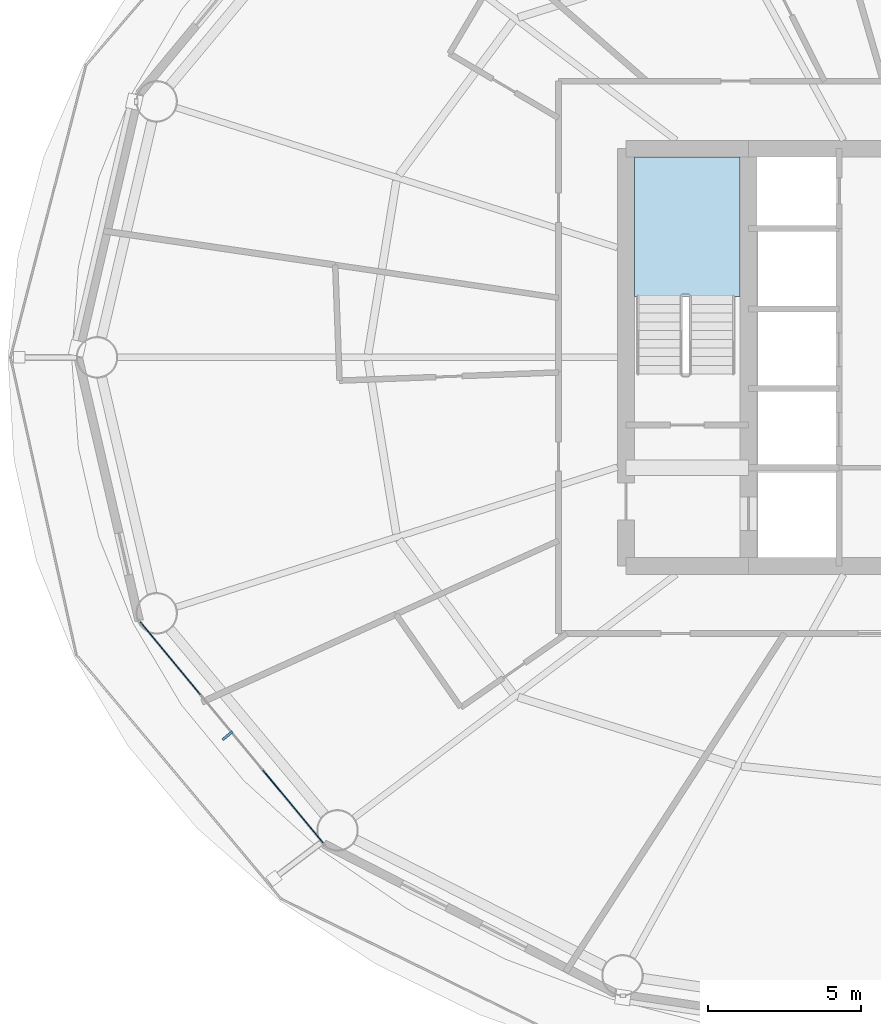
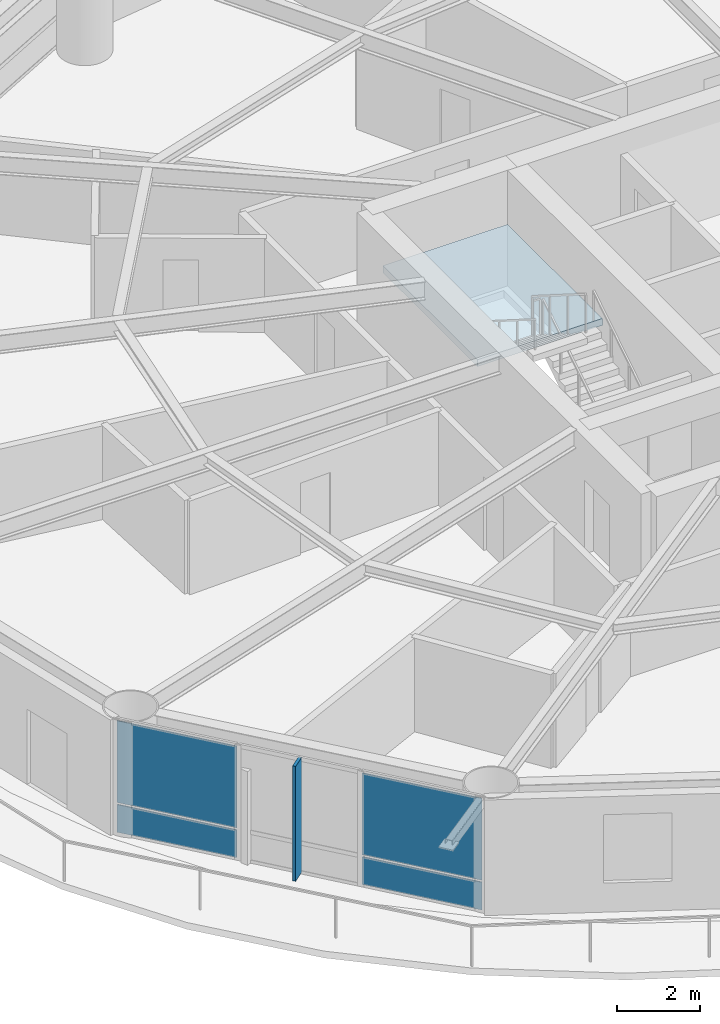
# One storey, part 14 of 24: 5 plates, 1 slab, 2 elements without a shape of their own.
"""IFC4 building model written with IfcOpenShell, lengths in metres."""

from ifc_helpers import new_model, si_unit, direction, frame, origin, origin_2d, place, context, subcontext, project, spatial, polyline, rectangle, outline, extrude, material, layer, layer_set, type_object, element, aggregate, save


model = new_model("IFC4")

# Units and contexts
model_context = context("Model", 3, precision=1e-05, world=origin(), true_north=direction((0.0, 1.0)))
body_context = subcontext(model_context, "Body", "Model", "MODEL_VIEW")
ifc_project = project(units=[si_unit("LENGTHUNIT", "METRE"), si_unit("AREAUNIT", "SQUARE_METRE"), si_unit("VOLUMEUNIT", "CUBIC_METRE"), si_unit("PLANEANGLEUNIT", "RADIAN"), si_unit("MASSUNIT", "GRAM", prefix="KILO")], contexts=[model_context])

# Site, building, storey
site_placement = place(None, origin())
site = spatial("IfcSite", under=ifc_project, at=site_placement, CompositionType="ELEMENT")
building_placement = place(site_placement, origin())
building = spatial("IfcBuilding", under=site, at=building_placement, Name="Sarneth Arch Tower", CompositionType="ELEMENT")
storey_placement = place(building_placement, frame((0.0, 0.0, 123.60009765625)))
storey = spatial("IfcBuildingStorey", under=building, at=storey_placement, Name="L31", CompositionType="ELEMENT", Elevation=123.60009765625)

# Curtain wall, plates
ifc_material_1 = material(Name="Anodised aluminium Type AA25 and solar-control low-e laminated IGU", Category="aluminium")
ifc_layer_1 = layer(ifc_material_1, 0.159912109375)
ifc_layer_set_1 = layer_set([ifc_layer_1], Name="Anodised aluminium Type AA25 and solar-control low-e laminated IGU")
curtain_wall_type = type_object("IfcCurtainWallType", Name="CW-HOTEL-MID", PredefinedType="NOTDEFINED", material=ifc_layer_set_1)
curtain_wall_placement = place(storey_placement, origin())
curtain_wall = element("IfcCurtainWall", 1, at=curtain_wall_placement, inside=storey, type_object=curtain_wall_type, Name="L31 Unitised curtain wall facet 10", PredefinedType="NOTDEFINED")
ifc_material_2 = material(Name="Solar-control low-e laminated IGU", Category="glass")
ifc_layer_2 = layer(ifc_material_2, 0.028076171875)
ifc_layer_set_2 = layer_set([ifc_layer_2], Name="Solar-control low-e laminated IGU")
plate_type_1 = type_object("IfcPlateType", Name="CW-PANEL", PredefinedType="CURTAIN_PANEL", material=ifc_layer_set_2)
plate_1_placement = place(storey_placement, frame((22.15185546875, 32.192138671875, 0.059814453125), z_axis=(0.0, 0.0, 1.0), x_axis=(0.637515188684, -0.770437787363, 0.0)))
plate_1 = element("IfcPlate", 2, at=plate_1_placement, type_object=plate_type_1, Name="Curtain wall glazed vision pane CW-L31-F10/P00-00", PredefinedType="CURTAIN_PANEL", context=body_context, shape_type="SweptSolid", body=[
    extrude(rectangle(XDim=3.058349609375, YDim=0.028076171875, at=origin_2d()), origin(), (0.0, 0.0, 1.0), 0.81005859375),
])
plate_2_placement = place(storey_placement, frame((22.15185546875, 32.192138671875, 0.93017578125), z_axis=(0.0, 0.0, 1.0), x_axis=(0.637515188684, -0.770437787363, 0.0)))
plate_2 = element("IfcPlate", 3, at=plate_2_placement, type_object=plate_type_1, Name="Curtain wall glazed vision pane CW-L31-F10/P00-01", PredefinedType="CURTAIN_PANEL", context=body_context, shape_type="SweptSolid", body=[
    extrude(rectangle(XDim=3.058349609375, YDim=0.028076171875, at=origin_2d()), origin(), (0.0, 0.0, 1.0), 2.389892578125),
])
plate_3_placement = place(storey_placement, frame((26.14697265625, 27.364013671875, 0.059814453125), z_axis=(0.0, 0.0, 1.0), x_axis=(0.637515188684, -0.770437787363, 0.0)))
plate_3 = element("IfcPlate", 4, at=plate_3_placement, type_object=plate_type_1, Name="Curtain wall glazed vision pane CW-L31-F10/P02-00", PredefinedType="CURTAIN_PANEL", context=body_context, shape_type="SweptSolid", body=[
    extrude(rectangle(XDim=3.058349609375, YDim=0.028076171875, at=origin_2d()), origin(), (0.0, 0.0, 1.0), 0.81005859375),
])
plate_4_placement = place(storey_placement, frame((26.14697265625, 27.364013671875, 0.93017578125), z_axis=(0.0, 0.0, 1.0), x_axis=(0.637515188684, -0.770437787363, 0.0)))
plate_4 = element("IfcPlate", 5, at=plate_4_placement, type_object=plate_type_1, Name="Curtain wall glazed vision pane CW-L31-F10/P02-01", PredefinedType="CURTAIN_PANEL", context=body_context, shape_type="SweptSolid", body=[
    extrude(rectangle(XDim=3.058349609375, YDim=0.028076171875, at=origin_2d()), origin(), (0.0, 0.0, 1.0), 2.389892578125),
])
aggregate(curtain_wall, [plate_1, plate_2, plate_3, plate_4])

# Plate
ifc_material_3 = material(Name="Extruded glazed terracotta baguette fin on Aluminium 6063-T6 carrier", Category="masonry")
ifc_layer_3 = layer(ifc_material_3, 0.080078125)
ifc_layer_set_3 = layer_set([ifc_layer_3], Name="Extruded glazed terracotta baguette fin on Aluminium 6063-T6 carrier")
plate_type_2 = type_object("IfcPlateType", Name="SHADE-TERRA-FIN", PredefinedType="SHEET", material=ifc_layer_set_3)
plate_5_placement = place(storey_placement, frame((24.018310546875, 29.669677734375, 0.009765625), z_axis=(0.0, 0.0, 1.0), x_axis=(-0.770401979567, -0.63755845997, 0.0)))
element("IfcPlate", 6, at=plate_5_placement, inside=storey, type_object=plate_type_2, Name="L31 Terracotta vertical shading fin 10", PredefinedType="SHEET", context=body_context, shape_type="SweptSolid", body=[
    extrude(rectangle(XDim=0.419921875, YDim=0.080078125, at=origin_2d()), origin(), (0.0, 0.0, 1.0), 3.360107421875),
])

# Stair, slab
ifc_material_4 = material(Name="Concrete C50/60", Category="concrete")
stair_type = type_object("IfcStairType", Name="STAIR-CORE-RC", PredefinedType="HALF_TURN_STAIR", material=ifc_material_4)
stair_placement = place(storey_placement, origin())
stair = element("IfcStair", 7, at=stair_placement, inside=storey, type_object=stair_type, Name="L31 Core Exit Stair 1", PredefinedType="HALF_TURN_STAIR")
ifc_material_5 = material(Name="Concrete C50/60", Category="concrete")
ifc_layer_4 = layer(ifc_material_5, 0.199951171875)
ifc_layer_set_4 = layer_set([ifc_layer_4], Name="Concrete C50/60")
slab_type = type_object("IfcSlabType", Name="SLAB-LANDING-200", PredefinedType="LANDING", material=ifc_layer_set_4)
slab_placement = place(storey_placement, frame((0.0, 0.0, 1.599853515625)))
slab = element("IfcSlab", 8, at=slab_placement, type_object=slab_type, Name="ST-1 landing 1", PredefinedType="LANDING", context=body_context, shape_type="SweptSolid", body=[
    extrude(outline(polyline([(37.27490234375, 43.985107421875), (40.72509765625, 43.985107421875), (40.72509765625, 48.52490234375), (37.27490234375, 48.52490234375), (37.27490234375, 43.985107421875)])), origin(), (0.0, 0.0, 1.0), 0.199951171875),
])
aggregate(stair, [slab])

save(model, "model.ifc")
